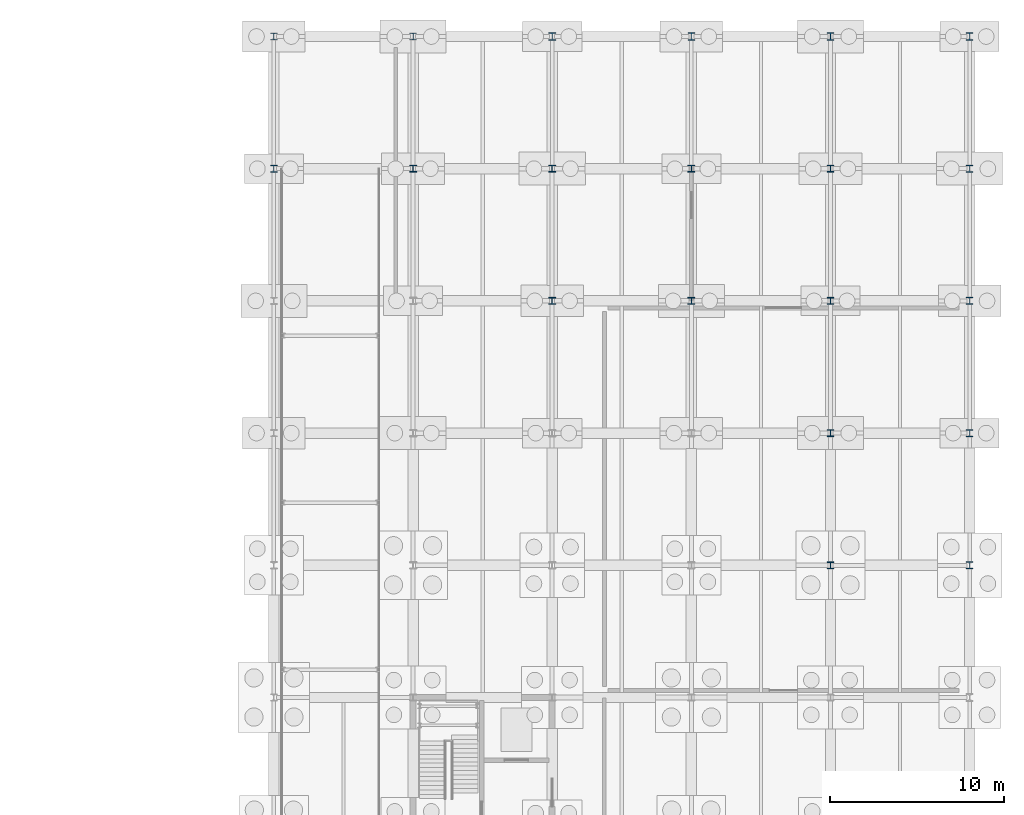
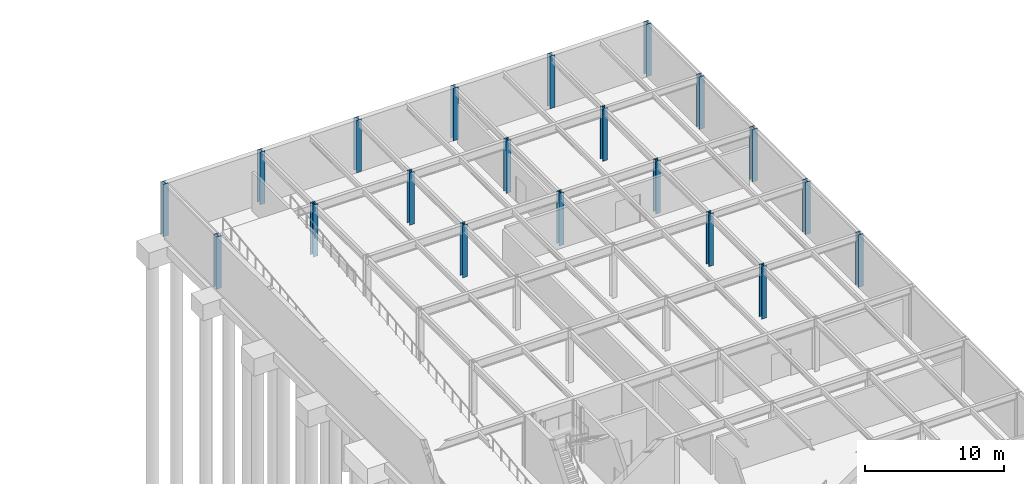
# One storey, part 11 of 21: 20 columns.
"""IFC4 building model written with IfcOpenShell, lengths in metres."""

from ifc_helpers import new_model, si_unit, direction, frame, origin, origin_2d, place, context, subcontext, project, spatial, i_section, extrude, material, material_profile, profile_set, type_object, element, save


model = new_model("IFC4")

# Units and contexts
model_context = context("Model", 3, precision=1e-05, world=origin(), true_north=direction((0.0, 1.0)))
body_context = subcontext(model_context, "Body", "Model", "MODEL_VIEW")
ifc_project = project(units=[si_unit("LENGTHUNIT", "METRE"), si_unit("AREAUNIT", "SQUARE_METRE"), si_unit("VOLUMEUNIT", "CUBIC_METRE"), si_unit("PLANEANGLEUNIT", "RADIAN"), si_unit("MASSUNIT", "GRAM", prefix="KILO")], contexts=[model_context])

# Site, building, storey
site_placement = place(None, origin())
site = spatial("IfcSite", under=ifc_project, at=site_placement, CompositionType="ELEMENT")
building_placement = place(site_placement, origin())
building = spatial("IfcBuilding", under=site, at=building_placement, Name="Zulena Civic Courthouse", CompositionType="ELEMENT")
storey_placement = place(building_placement, frame((0.0, 0.0, -4.800048828125)))
storey = spatial("IfcBuildingStorey", under=building, at=storey_placement, Name="B01", CompositionType="ELEMENT", Elevation=-4.800048828125)

# Columns
ifc_material = material(Name="Steel ASTM A992 Grade 50", Category="steel")
ifc_material_profile_1 = material_profile(ifc_material, i_section(OverallWidth=0.40087890625, OverallDepth=0.39892578125, WebThickness=0.02490234375, FlangeThickness=0.03955078125, FilletRadius=0.01513671875, at=origin_2d()), Name="W14X211")
ifc_profile_set_1 = profile_set([ifc_material_profile_1], Name="Steel ASTM A992 Grade 50")
column_type_1 = type_object("IfcColumnType", Name="Col_W14X211", PredefinedType="COLUMN", material=ifc_profile_set_1)
for number, where, z_axis, x_axis, name in (
    (1, (76.0, 106.39990234375, 0.0), (0.0, 0.0, 1.0), (1.0, 0.0, 0.0), "col:V5:B01:76.0:106.4"),
    (2, (84.0, 98.800048828125, 0.0), (0.0, 0.0, 1.0), (1.0, 0.0, 0.0), "col:V5:B01:84.0:98.8"),
    (3, (84.0, 106.39990234375, 0.0), (0.0, 0.0, 1.0), (1.0, 0.0, 0.0), "col:V5:B01:84.0:106.4"),
    (4, (92.0, 98.800048828125, 0.0), (0.0, 0.0, 1.0), (1.0, 0.0, 0.0), "col:V5:B01:92.0:98.8"),
    (5, (92.0, 106.39990234375, 0.0), (0.0, 0.0, 1.0), (1.0, 0.0, 0.0), "col:V5:B01:92.0:106.4"),
    (6, (100.0, 83.60009765625, 0.0), (0.0, 0.0, 1.0), (1.0, 0.0, 0.0), "col:V5:B01:100.0:83.6"),
    (7, (100.0, 91.199951171875, 0.0), (0.0, 0.0, 1.0), (1.0, 0.0, 0.0), "col:V5:B01:100.0:91.2"),
    (8, (100.0, 98.800048828125, 0.0), (0.0, 0.0, 1.0), (1.0, 0.0, 0.0), "col:V5:B01:100.0:98.8"),
    (9, (100.0, 106.39990234375, 0.0), (0.0, 0.0, 1.0), (1.0, 0.0, 0.0), "col:V5:B01:100.0:106.4"),
):
    element("IfcColumn", number, at=place(storey_placement, frame(where, z_axis=z_axis, x_axis=x_axis)), inside=storey, type_object=column_type_1, Name=name, PredefinedType="COLUMN", context=body_context, shape_type="SweptSolid", body=[
        extrude(i_section(OverallWidth=0.40087890625, OverallDepth=0.39892578125, WebThickness=0.02490234375, FlangeThickness=0.03955078125, FilletRadius=0.01513671875, at=origin_2d()), origin(), (0.0, 0.0, 1.0), 4.580078125),
    ])
ifc_material_profile_2 = material_profile(ifc_material, i_section(OverallWidth=0.406005859375, OverallDepth=0.416015625, WebThickness=0.02978515625, FlangeThickness=0.048095703125, FilletRadius=0.01513671875, at=origin_2d()), Name="W14X257")
ifc_profile_set_2 = profile_set([ifc_material_profile_2], Name="Steel ASTM A992 Grade 50")
column_type_2 = type_object("IfcColumnType", Name="Col_W14X257", PredefinedType="COLUMN", material=ifc_profile_set_2)
for number, where, z_axis, x_axis, name in (
    (10, (68.0, 106.39990234375, 0.0), (0.0, 0.0, 1.0), (1.0, 0.0, 0.0), "col:V5:B01:68.0:106.4"),
    (11, (68.0, 114.0, 0.0), (0.0, 0.0, 1.0), (1.0, 0.0, 0.0), "col:V5:B01:68.0:114.0"),
    (12, (76.0, 114.0, 0.0), (0.0, 0.0, 1.0), (1.0, 0.0, 0.0), "col:V5:B01:76.0:114.0"),
):
    element("IfcColumn", number, at=place(storey_placement, frame(where, z_axis=z_axis, x_axis=x_axis)), inside=storey, type_object=column_type_2, Name=name, PredefinedType="COLUMN", context=body_context, shape_type="SweptSolid", body=[
        extrude(i_section(OverallWidth=0.406005859375, OverallDepth=0.416015625, WebThickness=0.02978515625, FlangeThickness=0.048095703125, FilletRadius=0.01513671875, at=origin_2d()), origin(), (0.0, 0.0, 1.0), 4.580078125),
    ])
ifc_material_profile_3 = material_profile(ifc_material, i_section(OverallWidth=0.412109375, OverallDepth=0.43505859375, WebThickness=0.035888671875, FlangeThickness=0.057373046875, FilletRadius=0.01513671875, at=origin_2d()), Name="W14X311")
ifc_profile_set_3 = profile_set([ifc_material_profile_3], Name="Steel ASTM A992 Grade 50")
column_type_3 = type_object("IfcColumnType", Name="Col_W14X311", PredefinedType="COLUMN", material=ifc_profile_set_3)
for number, where, z_axis, x_axis, name in (
    (13, (84.0, 114.0, 0.0), (0.0, 0.0, 1.0), (1.0, 0.0, 0.0), "col:V5:B01:84.0:114.0"),
    (14, (92.0, 114.0, 0.0), (0.0, 0.0, 1.0), (1.0, 0.0, 0.0), "col:V5:B01:92.0:114.0"),
    (15, (100.0, 114.0, 0.0), (0.0, 0.0, 1.0), (1.0, 0.0, 0.0), "col:V5:B01:100.0:114.0"),
    (16, (108.0, 83.60009765625, 0.0), (0.0, 0.0, 1.0), (1.0, 0.0, 0.0), "col:V5:B01:108.0:83.6"),
    (17, (108.0, 91.199951171875, 0.0), (0.0, 0.0, 1.0), (1.0, 0.0, 0.0), "col:V5:B01:108.0:91.2"),
    (18, (108.0, 98.800048828125, 0.0), (0.0, 0.0, 1.0), (1.0, 0.0, 0.0), "col:V5:B01:108.0:98.8"),
    (19, (108.0, 106.39990234375, 0.0), (0.0, 0.0, 1.0), (1.0, 0.0, 0.0), "col:V5:B01:108.0:106.4"),
    (20, (108.0, 114.0, 0.0), (0.0, 0.0, 1.0), (1.0, 0.0, 0.0), "col:V5:B01:108.0:114.0"),
):
    element("IfcColumn", number, at=place(storey_placement, frame(where, z_axis=z_axis, x_axis=x_axis)), inside=storey, type_object=column_type_3, Name=name, PredefinedType="COLUMN", context=body_context, shape_type="SweptSolid", body=[
        extrude(i_section(OverallWidth=0.412109375, OverallDepth=0.43505859375, WebThickness=0.035888671875, FlangeThickness=0.057373046875, FilletRadius=0.01513671875, at=origin_2d()), origin(), (0.0, 0.0, 1.0), 4.580078125),
    ])

save(model, "model.ifc")
